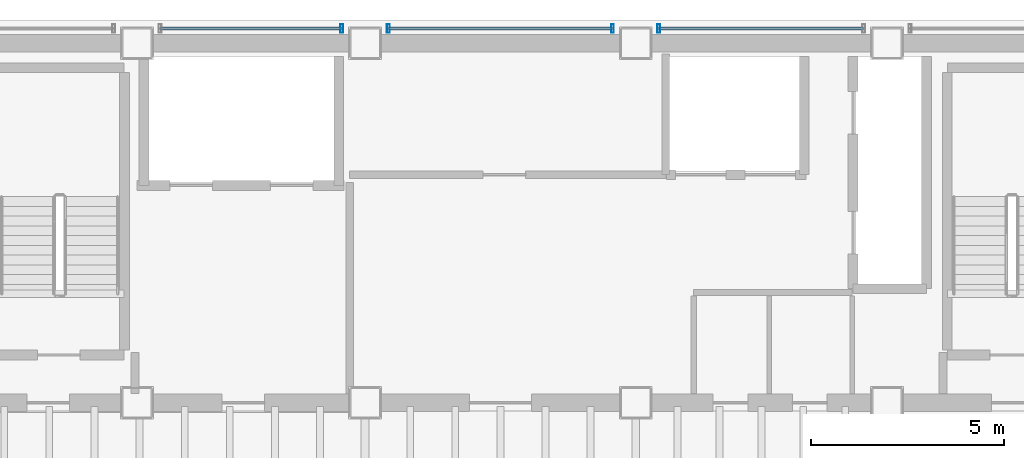
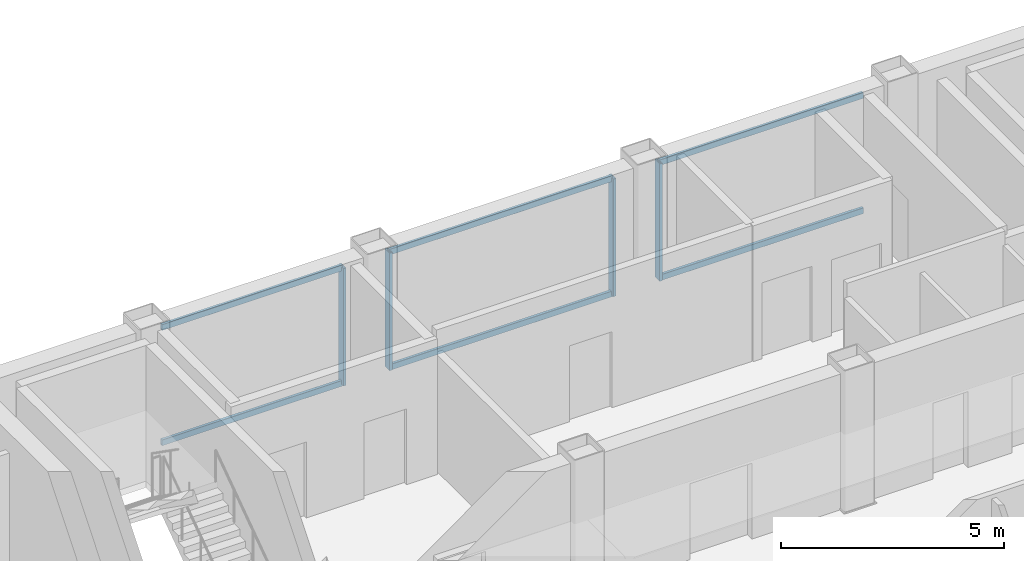
# One storey, part 9 of 17: 10 members, 3 elements without a shape of their own.
"""IFC4 building model written with IfcOpenShell, lengths in metres."""

from ifc_helpers import new_model, si_unit, direction, frame, origin, origin_2d, place, context, subcontext, project, spatial, hollow_rectangle, extrude, material, material_profile, profile_set, type_object, element, aggregate, save


model = new_model("IFC4")

# Units and contexts
model_context = context("Model", 3, precision=1e-05, world=origin(), true_north=direction((0.0, 1.0)))
body_context = subcontext(model_context, "Body", "Model", "MODEL_VIEW")
ifc_project = project(units=[si_unit("LENGTHUNIT", "METRE"), si_unit("AREAUNIT", "SQUARE_METRE"), si_unit("VOLUMEUNIT", "CUBIC_METRE"), si_unit("PLANEANGLEUNIT", "RADIAN"), si_unit("MASSUNIT", "GRAM", prefix="KILO")], contexts=[model_context])

# Site, building, storey
site_placement = place(None, origin())
site = spatial("IfcSite", under=ifc_project, at=site_placement, CompositionType="ELEMENT")
building_placement = place(site_placement, origin())
building = spatial("IfcBuilding", under=site, at=building_placement, Name="Noeulbin Bourse Tower", CompositionType="ELEMENT")
storey_placement = place(building_placement, frame((0.0, 0.0, 246.199951171875)))
storey = spatial("IfcBuildingStorey", under=building, at=storey_placement, Name="L61", CompositionType="ELEMENT", Elevation=246.199951171875)

# Curtain wall, member
ifc_material_1 = material(Name="High-Selectivity Low-Iron Glazing", Category="glass")
curtain_wall_type = type_object("IfcCurtainWallType", Name="CW-SYS-4", PredefinedType="NOTDEFINED", material=ifc_material_1)
curtain_wall_1_placement = place(storey_placement, origin())
curtain_wall_1 = element("IfcCurtainWall", 1, at=curtain_wall_1_placement, inside=storey, type_object=curtain_wall_type, Name="Unitised Curtain Wall CW-L61-N-S3", PredefinedType="NOTDEFINED")
ifc_material_2 = material(Name="Anodised Aluminium 6063-T6", Category="aluminium")
ifc_material_profile_1 = material_profile(ifc_material_2, hollow_rectangle(XDim=0.074951171875, YDim=0.219970703125, WallThickness=0.0048828125, InnerFilletRadius=0.00244140625, OuterFilletRadius=0.0048828125, at=origin_2d()), Name="ALU-MULL-75x220x5", Category="LoadBearing")
ifc_profile_set_1 = profile_set([ifc_material_profile_1], Name="Anodised Aluminium 6063-T6")
member_type_1 = type_object("IfcMemberType", Name="CW-SYS-4-MUL", PredefinedType="MULLION", material=ifc_profile_set_1)
member_1_placement = place(storey_placement, frame((23.39990234375, 38.679931640625, -0.02001953125), z_axis=(0.0, 0.0, 1.0), x_axis=(1.0, 0.0, 0.0)))
member_1 = element("IfcMember", 2, at=member_1_placement, type_object=member_type_1, Name="Curtain Wall Mullion CW-L61-N-S3-M01", PredefinedType="MULLION", context=body_context, shape_type="SweptSolid", body=[
    extrude(hollow_rectangle(XDim=0.074951171875, YDim=0.219970703125, WallThickness=0.0048828125, InnerFilletRadius=0.00244140625, OuterFilletRadius=0.0048828125, at=origin_2d()), origin(), (0.0, 0.0, 1.0), 3.219970703125),
])

# Curtain wall, members
curtain_wall_2_placement = place(storey_placement, origin())
curtain_wall_2 = element("IfcCurtainWall", 3, at=curtain_wall_2_placement, inside=storey, type_object=curtain_wall_type, Name="Unitised Curtain Wall CW-L61-N-S4", PredefinedType="NOTDEFINED")
member_2_placement = place(storey_placement, frame((24.60009765625, 38.679931640625, -0.02001953125), z_axis=(0.0, 0.0, 1.0), x_axis=(1.0, 0.0, 0.0)))
member_2 = element("IfcMember", 4, at=member_2_placement, type_object=member_type_1, Name="Curtain Wall Mullion CW-L61-N-S4-M00", PredefinedType="MULLION", context=body_context, shape_type="SweptSolid", body=[
    extrude(hollow_rectangle(XDim=0.074951171875, YDim=0.219970703125, WallThickness=0.0048828125, InnerFilletRadius=0.00244140625, OuterFilletRadius=0.0048828125, at=origin_2d()), origin(), (0.0, 0.0, 1.0), 3.219970703125),
])
member_3_placement = place(storey_placement, frame((30.39990234375, 38.679931640625, -0.02001953125), z_axis=(0.0, 0.0, 1.0), x_axis=(1.0, 0.0, 0.0)))
member_3 = element("IfcMember", 5, at=member_3_placement, type_object=member_type_1, Name="Curtain Wall Mullion CW-L61-N-S4-M01", PredefinedType="MULLION", context=body_context, shape_type="SweptSolid", body=[
    extrude(hollow_rectangle(XDim=0.074951171875, YDim=0.219970703125, WallThickness=0.0048828125, InnerFilletRadius=0.00244140625, OuterFilletRadius=0.0048828125, at=origin_2d()), origin(), (0.0, 0.0, 1.0), 3.219970703125),
])

# Curtain wall, member
curtain_wall_3_placement = place(storey_placement, origin())
curtain_wall_3 = element("IfcCurtainWall", 6, at=curtain_wall_3_placement, inside=storey, type_object=curtain_wall_type, Name="Unitised Curtain Wall CW-L61-N-S5", PredefinedType="NOTDEFINED")
member_4_placement = place(storey_placement, frame((31.60009765625, 38.679931640625, -0.02001953125), z_axis=(0.0, 0.0, 1.0), x_axis=(1.0, 0.0, 0.0)))
member_4 = element("IfcMember", 7, at=member_4_placement, type_object=member_type_1, Name="Curtain Wall Mullion CW-L61-N-S5-M00", PredefinedType="MULLION", context=body_context, shape_type="SweptSolid", body=[
    extrude(hollow_rectangle(XDim=0.074951171875, YDim=0.219970703125, WallThickness=0.0048828125, InnerFilletRadius=0.00244140625, OuterFilletRadius=0.0048828125, at=origin_2d()), origin(), (0.0, 0.0, 1.0), 3.219970703125),
])

# Member
ifc_material_profile_2 = material_profile(ifc_material_2, hollow_rectangle(XDim=0.074951171875, YDim=0.159912109375, WallThickness=0.0048828125, InnerFilletRadius=0.00244140625, OuterFilletRadius=0.0048828125, at=origin_2d()), Name="ALU-TRAN-75x160x5", Category="LoadBearing")
ifc_profile_set_2 = profile_set([ifc_material_profile_2], Name="Anodised Aluminium 6063-T6")
member_type_2 = type_object("IfcMemberType", Name="CW-SYS-4-TRN", PredefinedType="USERDEFINED", material=ifc_profile_set_2)
member_5_placement = place(storey_placement, frame((18.7099609375, 38.679931640625, 0.010009765625), z_axis=(1.0, 0.0, 0.0), x_axis=(0.0, 1.0, 0.0)))
member_5 = element("IfcMember", 8, at=member_5_placement, type_object=member_type_2, Name="Curtain Wall Transom CW-L61-N-S3-T00", ObjectType="TRANSOM", PredefinedType="USERDEFINED", context=body_context, shape_type="SweptSolid", body=[
    extrude(hollow_rectangle(XDim=0.074951171875, YDim=0.159912109375, WallThickness=0.0048828125, InnerFilletRadius=0.00244140625, OuterFilletRadius=0.0048828125, at=origin_2d()), origin(), (0.0, 0.0, 1.0), 4.679931640625),
])

member_6_placement = place(storey_placement, frame((18.7099609375, 38.679931640625, 3.170166015625), z_axis=(1.0, 0.0, 0.0), x_axis=(0.0, 1.0, 0.0)))
member_6 = element("IfcMember", 9, at=member_6_placement, type_object=member_type_2, Name="Curtain Wall Transom CW-L61-N-S3-T01", ObjectType="TRANSOM", PredefinedType="USERDEFINED", context=body_context, shape_type="SweptSolid", body=[
    extrude(hollow_rectangle(XDim=0.074951171875, YDim=0.159912109375, WallThickness=0.0048828125, InnerFilletRadius=0.00244140625, OuterFilletRadius=0.0048828125, at=origin_2d()), origin(), (0.0, 0.0, 1.0), 4.679931640625),
])

aggregate(curtain_wall_1, [member_1, member_5, member_6])

member_7_placement = place(storey_placement, frame((24.610107421875, 38.679931640625, 0.010009765625), z_axis=(1.0, 0.0, 0.0), x_axis=(0.0, 1.0, 0.0)))
member_7 = element("IfcMember", 10, at=member_7_placement, type_object=member_type_2, Name="Curtain Wall Transom CW-L61-N-S4-T00", ObjectType="TRANSOM", PredefinedType="USERDEFINED", context=body_context, shape_type="SweptSolid", body=[
    extrude(hollow_rectangle(XDim=0.074951171875, YDim=0.159912109375, WallThickness=0.0048828125, InnerFilletRadius=0.00244140625, OuterFilletRadius=0.0048828125, at=origin_2d()), origin(), (0.0, 0.0, 1.0), 5.77978515625),
])

member_8_placement = place(storey_placement, frame((24.610107421875, 38.679931640625, 3.170166015625), z_axis=(1.0, 0.0, 0.0), x_axis=(0.0, 1.0, 0.0)))
member_8 = element("IfcMember", 11, at=member_8_placement, type_object=member_type_2, Name="Curtain Wall Transom CW-L61-N-S4-T01", ObjectType="TRANSOM", PredefinedType="USERDEFINED", context=body_context, shape_type="SweptSolid", body=[
    extrude(hollow_rectangle(XDim=0.074951171875, YDim=0.159912109375, WallThickness=0.0048828125, InnerFilletRadius=0.00244140625, OuterFilletRadius=0.0048828125, at=origin_2d()), origin(), (0.0, 0.0, 1.0), 5.77978515625),
])

aggregate(curtain_wall_2, [member_2, member_3, member_7, member_8])

member_9_placement = place(storey_placement, frame((31.610107421875, 38.679931640625, 0.010009765625), z_axis=(1.0, 0.0, 0.0), x_axis=(0.0, 1.0, 0.0)))
member_9 = element("IfcMember", 12, at=member_9_placement, type_object=member_type_2, Name="Curtain Wall Transom CW-L61-N-S5-T00", ObjectType="TRANSOM", PredefinedType="USERDEFINED", context=body_context, shape_type="SweptSolid", body=[
    extrude(hollow_rectangle(XDim=0.074951171875, YDim=0.159912109375, WallThickness=0.0048828125, InnerFilletRadius=0.00244140625, OuterFilletRadius=0.0048828125, at=origin_2d()), origin(), (0.0, 0.0, 1.0), 5.27978515625),
])

member_10_placement = place(storey_placement, frame((31.610107421875, 38.679931640625, 3.170166015625), z_axis=(1.0, 0.0, 0.0), x_axis=(0.0, 1.0, 0.0)))
member_10 = element("IfcMember", 13, at=member_10_placement, type_object=member_type_2, Name="Curtain Wall Transom CW-L61-N-S5-T01", ObjectType="TRANSOM", PredefinedType="USERDEFINED", context=body_context, shape_type="SweptSolid", body=[
    extrude(hollow_rectangle(XDim=0.074951171875, YDim=0.159912109375, WallThickness=0.0048828125, InnerFilletRadius=0.00244140625, OuterFilletRadius=0.0048828125, at=origin_2d()), origin(), (0.0, 0.0, 1.0), 5.27978515625),
])

aggregate(curtain_wall_3, [member_4, member_9, member_10])

save(model, "model.ifc")
